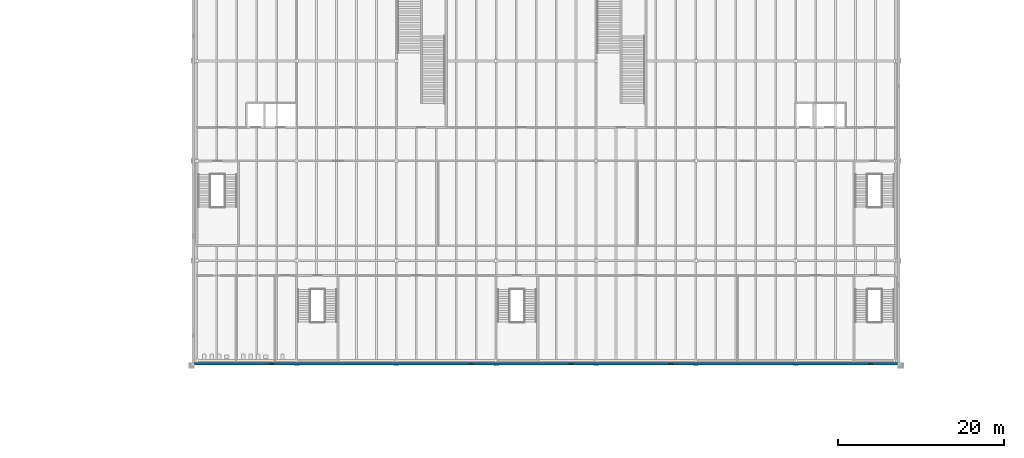
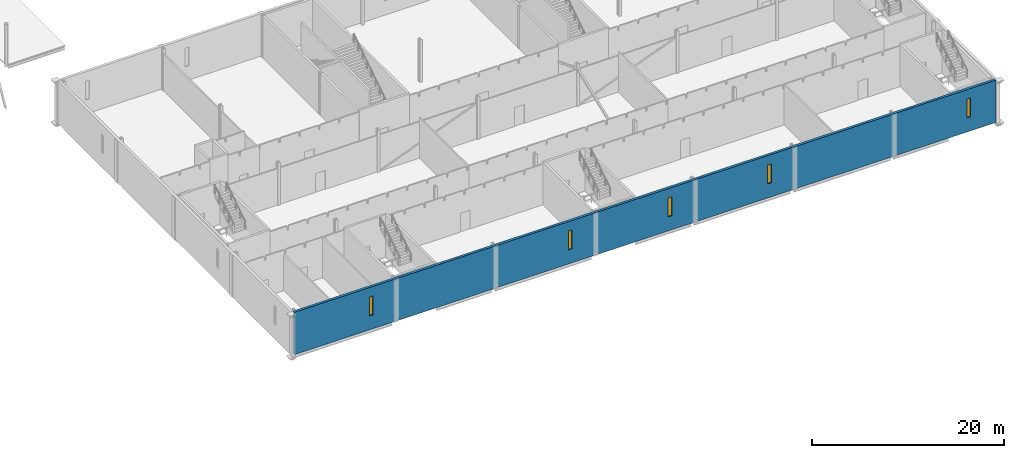
# One storey, part 104 of 170: 5 windows, 1 wall, 5 openings.
"""IFC4 building model written with IfcOpenShell, lengths in metres."""

from ifc_helpers import new_model, si_unit, direction, frame, frame_2d, origin, place, context, subcontext, project, spatial, rectangle, extrude, material, layer, layer_set, type_object, element, fill, save


model = new_model("IFC4")

# Units and contexts
model_context = context("Model", 3, precision=1e-05, world=origin(), true_north=direction((0.0, 1.0)))
body_context = subcontext(model_context, "Body", "Model", "MODEL_VIEW")
ifc_project = project(units=[si_unit("LENGTHUNIT", "METRE"), si_unit("AREAUNIT", "SQUARE_METRE"), si_unit("VOLUMEUNIT", "CUBIC_METRE"), si_unit("PLANEANGLEUNIT", "RADIAN"), si_unit("MASSUNIT", "GRAM", prefix="KILO")], contexts=[model_context])

# Site, building, storey
site_placement = place(None, origin())
site = spatial("IfcSite", under=ifc_project, at=site_placement, CompositionType="ELEMENT")
building_placement = place(site_placement, origin())
building = spatial("IfcBuilding", under=site, at=building_placement, Name="Ravi Spectrum Wholesale Market", CompositionType="ELEMENT")
storey_placement = place(building_placement, frame((0.0, 0.0, 5.39990234375)))
storey = spatial("IfcBuildingStorey", under=building, at=storey_placement, Name="L01", CompositionType="ELEMENT", Elevation=5.39990234375)

# Wall, openings, windows
ifc_material_1 = material(Name="Brick-faced insulated panel", Category="masonry")
ifc_layer = layer(ifc_material_1, 0.300048828125)
ifc_layer_set = layer_set([ifc_layer], Name="Brick-faced insulated panel")
wall_type = type_object("IfcWallType", Name="Brick faced insulated panel 300", PredefinedType="SOLIDWALL", material=ifc_layer_set)
wall_placement = place(storey_placement, frame((197.75, 17.60009765625, 0.0), z_axis=(0.0, 0.0, 1.0), x_axis=(1.0, 0.0, 0.0)))
wall = element("IfcWall", 1, at=wall_placement, inside=storey, type_object=wall_type, Name="CS-WL-L01-059", PredefinedType="SOLIDWALL", context=body_context, shape_type="SweptSolid", body=[
    extrude(rectangle(XDim=84.5, YDim=0.300048828125, at=frame_2d((42.25, 0.0))), origin(), (0.0, 0.0, 1.0), 5.400146484375),
])
opening_1_placement = place(wall_placement, frame((9.02490234375, 0.0, 1.800048828125)))
opening_1 = element("IfcOpeningElement", 2, at=opening_1_placement, cuts=wall, Name="Opening W2615", PredefinedType="OPENING", context=body_context, shape_type="SweptSolid", body=[
    extrude(rectangle(XDim=0.449951171875, YDim=2.39990234375, at=frame_2d((0.22509765625, 1.199951171875))), frame((0.0, 0.159912109375, 0.0), z_axis=(0.0, -1.0, 0.0), x_axis=(1.0, 0.0, 0.0)), (0.0, 0.0, 1.0), 0.320068359375),
])
opening_2_placement = place(wall_placement, frame((33.02490234375, 0.0, 1.800048828125)))
opening_2 = element("IfcOpeningElement", 3, at=opening_2_placement, cuts=wall, Name="Opening W2617", PredefinedType="OPENING", context=body_context, shape_type="SweptSolid", body=[
    extrude(rectangle(XDim=0.449951171875, YDim=2.39990234375, at=frame_2d((0.22509765625, 1.199951171875))), frame((0.0, 0.159912109375, 0.0), z_axis=(0.0, -1.0, 0.0), x_axis=(1.0, 0.0, 0.0)), (0.0, 0.0, 1.0), 0.320068359375),
])
opening_3_placement = place(wall_placement, frame((45.02490234375, 0.0, 1.800048828125)))
opening_3 = element("IfcOpeningElement", 4, at=opening_3_placement, cuts=wall, Name="Opening W2618", PredefinedType="OPENING", context=body_context, shape_type="SweptSolid", body=[
    extrude(rectangle(XDim=0.449951171875, YDim=2.39990234375, at=frame_2d((0.22509765625, 1.199951171875))), frame((0.0, 0.159912109375, 0.0), z_axis=(0.0, -1.0, 0.0), x_axis=(1.0, 0.0, 0.0)), (0.0, 0.0, 1.0), 0.320068359375),
])
opening_4_placement = place(wall_placement, frame((57.02490234375, 0.0, 1.800048828125)))
opening_4 = element("IfcOpeningElement", 5, at=opening_4_placement, cuts=wall, Name="Opening W2619", PredefinedType="OPENING", context=body_context, shape_type="SweptSolid", body=[
    extrude(rectangle(XDim=0.449951171875, YDim=2.39990234375, at=frame_2d((0.22509765625, 1.199951171875))), frame((0.0, 0.159912109375, 0.0), z_axis=(0.0, -1.0, 0.0), x_axis=(1.0, 0.0, 0.0)), (0.0, 0.0, 1.0), 0.320068359375),
])
opening_5_placement = place(wall_placement, frame((81.02490234375, 0.0, 1.800048828125)))
opening_5 = element("IfcOpeningElement", 6, at=opening_5_placement, cuts=wall, Name="Opening W2621", PredefinedType="OPENING", context=body_context, shape_type="SweptSolid", body=[
    extrude(rectangle(XDim=0.449951171875, YDim=2.39990234375, at=frame_2d((0.22509765625, 1.199951171875))), frame((0.0, 0.159912109375, 0.0), z_axis=(0.0, -1.0, 0.0), x_axis=(1.0, 0.0, 0.0)), (0.0, 0.0, 1.0), 0.320068359375),
])
ifc_material_2 = material(Name="Steel window frame", Category="steel")
window_type = type_object("IfcWindowType", Name="Slot window 450 x 2400", PartitioningType="SINGLE_PANEL", PredefinedType="WINDOW", material=ifc_material_2)
window_1_placement = place(opening_1_placement, origin())
window_1 = element("IfcWindow", 7, at=window_1_placement, inside=storey, type_object=window_type, Name="Window W2615", OverallHeight=2.39990234375, OverallWidth=0.449951171875, PartitioningType="SINGLE_PANEL", PredefinedType="WINDOW", context=body_context, shape_type="SweptSolid", body=[
    extrude(rectangle(XDim=0.449951171875, YDim=2.39990234375, at=frame_2d((0.22509765625, 1.199951171875))), frame((0.0, 0.030029296875, 0.0), z_axis=(0.0, -1.0, 0.0), x_axis=(1.0, 0.0, 0.0)), (0.0, 0.0, 1.0), 0.06005859375),
])
fill(opening_1, window_1)
window_2_placement = place(opening_2_placement, origin())
window_2 = element("IfcWindow", 8, at=window_2_placement, inside=storey, type_object=window_type, Name="Window W2617", OverallHeight=2.39990234375, OverallWidth=0.449951171875, PartitioningType="SINGLE_PANEL", PredefinedType="WINDOW", context=body_context, shape_type="SweptSolid", body=[
    extrude(rectangle(XDim=0.449951171875, YDim=2.39990234375, at=frame_2d((0.22509765625, 1.199951171875))), frame((0.0, 0.030029296875, 0.0), z_axis=(0.0, -1.0, 0.0), x_axis=(1.0, 0.0, 0.0)), (0.0, 0.0, 1.0), 0.06005859375),
])
fill(opening_2, window_2)
window_3_placement = place(opening_3_placement, origin())
window_3 = element("IfcWindow", 9, at=window_3_placement, inside=storey, type_object=window_type, Name="Window W2618", OverallHeight=2.39990234375, OverallWidth=0.449951171875, PartitioningType="SINGLE_PANEL", PredefinedType="WINDOW", context=body_context, shape_type="SweptSolid", body=[
    extrude(rectangle(XDim=0.449951171875, YDim=2.39990234375, at=frame_2d((0.22509765625, 1.199951171875))), frame((0.0, 0.030029296875, 0.0), z_axis=(0.0, -1.0, 0.0), x_axis=(1.0, 0.0, 0.0)), (0.0, 0.0, 1.0), 0.06005859375),
])
fill(opening_3, window_3)
window_4_placement = place(opening_4_placement, origin())
window_4 = element("IfcWindow", 10, at=window_4_placement, inside=storey, type_object=window_type, Name="Window W2619", OverallHeight=2.39990234375, OverallWidth=0.449951171875, PartitioningType="SINGLE_PANEL", PredefinedType="WINDOW", context=body_context, shape_type="SweptSolid", body=[
    extrude(rectangle(XDim=0.449951171875, YDim=2.39990234375, at=frame_2d((0.22509765625, 1.199951171875))), frame((0.0, 0.030029296875, 0.0), z_axis=(0.0, -1.0, 0.0), x_axis=(1.0, 0.0, 0.0)), (0.0, 0.0, 1.0), 0.06005859375),
])
fill(opening_4, window_4)
window_5_placement = place(opening_5_placement, origin())
window_5 = element("IfcWindow", 11, at=window_5_placement, inside=storey, type_object=window_type, Name="Window W2621", OverallHeight=2.39990234375, OverallWidth=0.449951171875, PartitioningType="SINGLE_PANEL", PredefinedType="WINDOW", context=body_context, shape_type="SweptSolid", body=[
    extrude(rectangle(XDim=0.449951171875, YDim=2.39990234375, at=frame_2d((0.22509765625, 1.199951171875))), frame((0.0, 0.030029296875, 0.0), z_axis=(0.0, -1.0, 0.0), x_axis=(1.0, 0.0, 0.0)), (0.0, 0.0, 1.0), 0.06005859375),
])
fill(opening_5, window_5)

save(model, "model.ifc")
